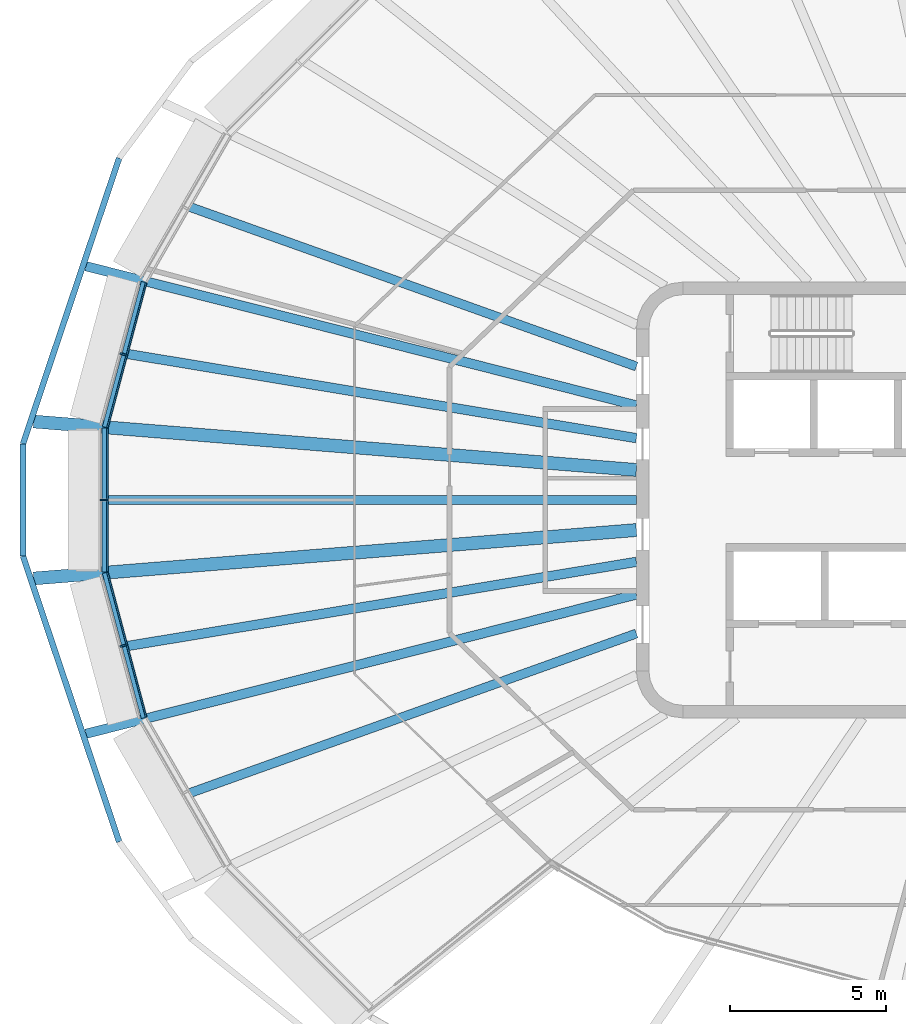
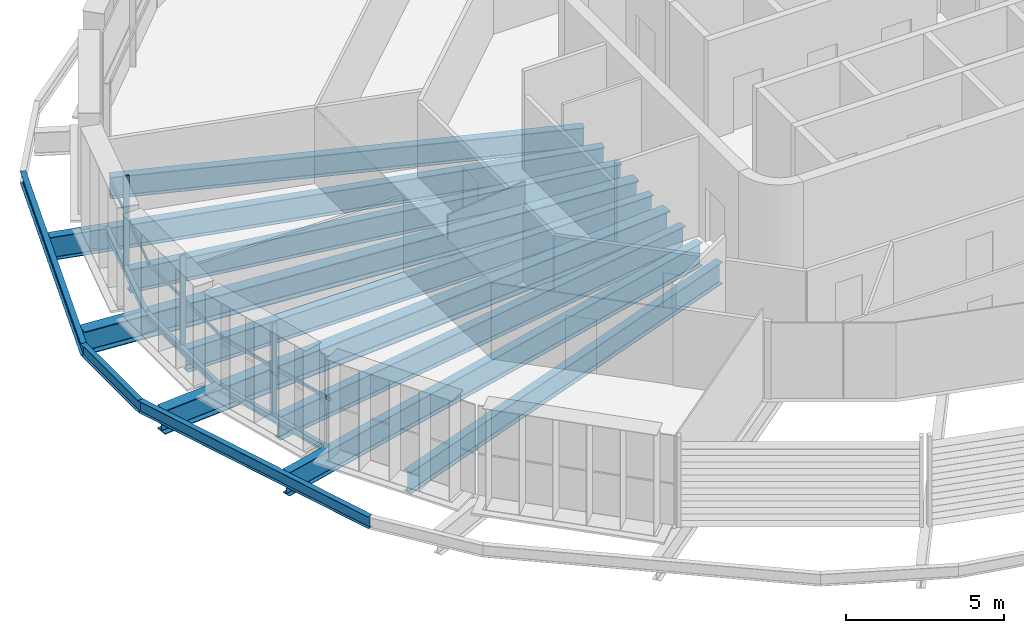
# One storey, part 2 of 19: 15 beams, 6 members, 3 elements without a shape of their own.
"""IFC4 building model written with IfcOpenShell, lengths in metres."""

from ifc_helpers import new_model, si_unit, direction, frame, origin, origin_2d, place, context, subcontext, project, spatial, rectangle, i_section, extrude, material, layer, layer_set, material_profile, profile_set, type_object, element, aggregate, save


model = new_model("IFC4")

# Units and contexts
model_context = context("Model", 3, precision=1e-05, world=origin(), true_north=direction((0.0, 1.0)))
body_context = subcontext(model_context, "Body", "Model", "MODEL_VIEW")
ifc_project = project(units=[si_unit("LENGTHUNIT", "METRE"), si_unit("AREAUNIT", "SQUARE_METRE"), si_unit("VOLUMEUNIT", "CUBIC_METRE"), si_unit("PLANEANGLEUNIT", "RADIAN"), si_unit("MASSUNIT", "GRAM", prefix="KILO")], contexts=[model_context])

# Site, building, storey
site_placement = place(None, origin())
site = spatial("IfcSite", under=ifc_project, at=site_placement, CompositionType="ELEMENT")
building_placement = place(site_placement, origin())
building = spatial("IfcBuilding", under=site, at=building_placement, Name="Sahrelin Media Tower", CompositionType="ELEMENT")
storey_placement = place(building_placement, frame((0.0, 0.0, 279.0)))
storey = spatial("IfcBuildingStorey", under=building, at=storey_placement, Name="L61", CompositionType="ELEMENT", Elevation=279.0)

# Beams
ifc_material_1 = material(Name="Steel S355", Category="steel")
ifc_material_profile_1 = material_profile(ifc_material_1, i_section(OverallWidth=0.14599609375, OverallDepth=0.25146484375, WebThickness=0.006103515625, FlangeThickness=0.008544921875, FilletRadius=0.007568359375, at=origin_2d()), Name="UB 254x146x31")
ifc_profile_set_1 = profile_set([ifc_material_profile_1], Name="Steel S355")
beam_type_1 = type_object("IfcBeamType", Name="Edge beam EB1", PredefinedType="BEAM", material=ifc_profile_set_1)
beam_1_placement = place(storey_placement, frame((-27.83203125, -7.003662109375, -0.275634765625), z_axis=(-0.258815348478, 0.965926816789, 0.0), x_axis=(-0.965926816789, -0.258815348478, 0.0)))
element("IfcBeam", 1, at=beam_1_placement, inside=storey, type_object=beam_type_1, Name="Edge beam L61-08", PredefinedType="BEAM", context=body_context, shape_type="SweptSolid", body=[
    extrude(i_section(OverallWidth=0.14599609375, OverallDepth=0.25146484375, WebThickness=0.006103515625, FlangeThickness=0.008544921875, FilletRadius=0.007568359375, at=origin_2d()), origin(), (0.0, 0.0, 1.0), 4.823974609375),
])
beam_2_placement = place(storey_placement, frame((-29.08447265625, -2.3154296875, -0.275634765625), z_axis=(0.0, 1.0, 0.0), x_axis=(-1.0, 0.0, 0.0)))
element("IfcBeam", 2, at=beam_2_placement, inside=storey, type_object=beam_type_1, Name="Edge beam L61-09", PredefinedType="BEAM", context=body_context, shape_type="SweptSolid", body=[
    extrude(i_section(OverallWidth=0.14599609375, OverallDepth=0.25146484375, WebThickness=0.006103515625, FlangeThickness=0.008544921875, FilletRadius=0.007568359375, at=origin_2d()), origin(), (0.0, 0.0, 1.0), 4.630859375),
])
beam_3_placement = place(storey_placement, frame((-29.08056640625, 2.343994140625, -0.275634765625), z_axis=(0.258815348478, 0.965926816789, 0.0), x_axis=(-0.965926816789, 0.258815348478, 0.0)))
element("IfcBeam", 3, at=beam_3_placement, inside=storey, type_object=beam_type_1, Name="Edge beam L61-10", PredefinedType="BEAM", context=body_context, shape_type="SweptSolid", body=[
    extrude(i_section(OverallWidth=0.14599609375, OverallDepth=0.25146484375, WebThickness=0.006103515625, FlangeThickness=0.008544921875, FilletRadius=0.007568359375, at=origin_2d()), origin(), (0.0, 0.0, 1.0), 4.823974609375),
])

# Curtain wall, member
ifc_material_2 = material(Name="Champagne anodised aluminium 6063-T6", Category="aluminium")
ifc_layer = layer(ifc_material_2, 0.14990234375)
ifc_layer_set = layer_set([ifc_layer], Name="Tower ribbon curtain wall")
curtain_wall_type = type_object("IfcCurtainWallType", Name="Tower ribbon curtain wall", PredefinedType="NOTDEFINED", material=ifc_layer_set)
curtain_wall_1_placement = place(storey_placement, frame((-28.601318359375, 4.712646484375, 0.0), z_axis=(0.0, 0.0, 1.0), x_axis=(1.0, 0.0, 0.0)))
curtain_wall_1 = element("IfcCurtainWall", 4, at=curtain_wall_1_placement, inside=storey, type_object=curtain_wall_type, Name="L61:CW:L61-11", PredefinedType="NOTDEFINED")
ifc_material_profile_2 = material_profile(ifc_material_2, rectangle(XDim=0.06005859375, YDim=0.199951171875, at=origin_2d()), Name="Mullion 60x200")
ifc_profile_set_2 = profile_set([ifc_material_profile_2], Name="Champagne anodised aluminium 6063-T6")
member_type_1 = type_object("IfcMemberType", Name="Mullion 60x200 CW1C", PredefinedType="MULLION", material=ifc_profile_set_2)
member_1_placement = place(storey_placement, frame((-28.4853515625, 4.681640625, 0.0), z_axis=(0.0, 0.0, 1.0), x_axis=(-0.25882916024, -0.965923115889, 0.0)))
member_1 = element("IfcMember", 5, at=member_1_placement, type_object=member_type_1, Name="L61:CWM:L61-11", PredefinedType="MULLION", context=body_context, shape_type="SweptSolid", body=[
    extrude(rectangle(XDim=0.06005859375, YDim=0.199951171875, at=origin_2d()), origin(), (0.0, 0.0, 1.0), 3.448486328125),
])

curtain_wall_2_placement = place(storey_placement, frame((-29.234375, 0.0, 0.0), z_axis=(0.0, 0.0, 1.0), x_axis=(1.0, 0.0, 0.0)))
curtain_wall_2 = element("IfcCurtainWall", 6, at=curtain_wall_2_placement, inside=storey, type_object=curtain_wall_type, Name="L61:CW:L61-12", PredefinedType="NOTDEFINED")
member_2_placement = place(storey_placement, frame((-29.114501953125, 0.0, 0.0), z_axis=(0.0, 0.0, 1.0), x_axis=(0.0, -1.0, 0.0)))
member_2 = element("IfcMember", 7, at=member_2_placement, type_object=member_type_1, Name="L61:CWM:L61-12", PredefinedType="MULLION", context=body_context, shape_type="SweptSolid", body=[
    extrude(rectangle(XDim=0.06005859375, YDim=0.199951171875, at=origin_2d()), origin(), (0.0, 0.0, 1.0), 3.448486328125),
])

curtain_wall_3_placement = place(storey_placement, frame((-28.601318359375, -4.712646484375, 0.0), z_axis=(0.0, 0.0, 1.0), x_axis=(1.0, 0.0, 0.0)))
curtain_wall_3 = element("IfcCurtainWall", 8, at=curtain_wall_3_placement, inside=storey, type_object=curtain_wall_type, Name="L61:CW:L61-13", PredefinedType="NOTDEFINED")
member_3_placement = place(storey_placement, frame((-28.4853515625, -4.681640625, 0.0), z_axis=(0.0, 0.0, 1.0), x_axis=(0.25882916024, -0.965923115889, 0.0)))
member_3 = element("IfcMember", 9, at=member_3_placement, type_object=member_type_1, Name="L61:CWM:L61-13", PredefinedType="MULLION", context=body_context, shape_type="SweptSolid", body=[
    extrude(rectangle(XDim=0.06005859375, YDim=0.199951171875, at=origin_2d()), origin(), (0.0, 0.0, 1.0), 3.448486328125),
])

# Beams
ifc_material_profile_3 = material_profile(ifc_material_1, i_section(OverallWidth=0.30322265625, OverallDepth=0.903076171875, WebThickness=0.01513671875, FlangeThickness=0.020263671875, FilletRadius=0.01904296875, at=origin_2d()), Name="UB 914x305x201")
ifc_profile_set_3 = profile_set([ifc_material_profile_3], Name="Steel S355")
beam_type_2 = type_object("IfcBeamType", Name="Radial primary beam PB11", PredefinedType="BEAM", material=ifc_profile_set_3)
for number, where, z_axis, x_axis, name in (
    (10, (-12.0, 3.035888671875, -0.6015625), (-0.969459095587, 0.245253057033, 0.0), (-0.245253057033, -0.969459095587, 0.0), "Radial beam L61-11"),
    (11, (-12.0, -3.035888671875, -0.6015625), (-0.969459095587, -0.245253057033, 0.0), (0.245253057033, -0.969459095587, 0.0), "Radial beam L61-14"),
):
    element("IfcBeam", number, at=place(storey_placement, frame(where, z_axis=z_axis, x_axis=x_axis)), inside=storey, type_object=beam_type_2, Name=name, PredefinedType="BEAM", context=body_context, shape_type="SweptSolid", body=[
        extrude(i_section(OverallWidth=0.30322265625, OverallDepth=0.903076171875, WebThickness=0.01513671875, FlangeThickness=0.020263671875, FilletRadius=0.01904296875, at=origin_2d()), origin(), (0.0, 0.0, 1.0), 18.23681640625),
    ])
ifc_material_profile_4 = material_profile(ifc_material_1, i_section(OverallWidth=0.41845703125, OverallDepth=0.911865234375, WebThickness=0.019287109375, FlangeThickness=0.031982421875, FilletRadius=0.024169921875, at=origin_2d()), Name="UB 914x419x343")
ifc_profile_set_4 = profile_set([ifc_material_profile_4], Name="Steel S355")
beam_type_3 = type_object("IfcBeamType", Name="Radial primary beam PB12", PredefinedType="BEAM", material=ifc_profile_set_4)
for number, where, z_axis, x_axis, name in (
    (12, (-12.0, 0.964599609375, -0.60595703125), (-0.99678559081, 0.080115453895, 0.0), (-0.080115453895, -0.99678559081, 0.0), "Radial beam L61-12"),
    (13, (-12.0, -0.964599609375, -0.60595703125), (-0.99678559081, -0.080115453895, 0.0), (0.080115453895, -0.99678559081, 0.0), "Radial beam L61-13"),
):
    element("IfcBeam", number, at=place(storey_placement, frame(where, z_axis=z_axis, x_axis=x_axis)), inside=storey, type_object=beam_type_3, Name=name, PredefinedType="BEAM", context=body_context, shape_type="SweptSolid", body=[
        extrude(i_section(OverallWidth=0.41845703125, OverallDepth=0.911865234375, WebThickness=0.019287109375, FlangeThickness=0.031982421875, FilletRadius=0.024169921875, at=origin_2d()), origin(), (0.0, 0.0, 1.0), 19.4208984375),
    ])
ifc_material_profile_5 = material_profile(ifc_material_1, i_section(OverallWidth=0.291748046875, OverallDepth=0.8349609375, WebThickness=0.013916015625, FlangeThickness=0.018798828125, FilletRadius=0.017822265625, at=origin_2d()), Name="UB 838x292x176")
ifc_profile_set_5 = profile_set([ifc_material_profile_5], Name="Steel S355")
beam_type_4 = type_object("IfcBeamType", Name="Radial secondary beam SB10", PredefinedType="BEAM", material=ifc_profile_set_5)
for number, where, z_axis, x_axis, name in (
    (14, (-12.0, 4.28759765625, -0.5673828125), (-0.941694777933, 0.336468342066, 0.0), (-0.336468342066, -0.941694777933, 0.0), "Secondary beam L61-10"),
    (15, (-12.0, -4.28759765625, -0.5673828125), (-0.941694777933, -0.336468342066, 0.0), (0.336468342066, -0.941694777933, 0.0), "Secondary beam L61-14"),
):
    element("IfcBeam", number, at=place(storey_placement, frame(where, z_axis=z_axis, x_axis=x_axis)), inside=storey, type_object=beam_type_4, Name=name, PredefinedType="BEAM", context=body_context, shape_type="SweptSolid", body=[
        extrude(i_section(OverallWidth=0.291748046875, OverallDepth=0.8349609375, WebThickness=0.013916015625, FlangeThickness=0.018798828125, FilletRadius=0.017822265625, at=origin_2d()), origin(), (0.0, 0.0, 1.0), 15.237548828125),
    ])
ifc_material_profile_6 = material_profile(ifc_material_1, i_section(OverallWidth=0.30322265625, OverallDepth=0.903076171875, WebThickness=0.01513671875, FlangeThickness=0.020263671875, FilletRadius=0.01904296875, at=origin_2d()), Name="UB 914x305x201")
ifc_profile_set_6 = profile_set([ifc_material_profile_6], Name="Steel S355")
beam_type_5 = type_object("IfcBeamType", Name="Radial secondary beam SB11", PredefinedType="BEAM", material=ifc_profile_set_6)
beam_4_placement = place(storey_placement, frame((-12.0, 1.98583984375, -0.6015625), z_axis=(-0.986583293342, 0.163258706656, 0.0), x_axis=(-0.163258706656, -0.986583293342, 0.0)))
element("IfcBeam", 16, at=beam_4_placement, inside=storey, type_object=beam_type_5, Name="Secondary beam L61-11", PredefinedType="BEAM", context=body_context, shape_type="SweptSolid", body=[
    extrude(i_section(OverallWidth=0.30322265625, OverallDepth=0.903076171875, WebThickness=0.01513671875, FlangeThickness=0.020263671875, FilletRadius=0.01904296875, at=origin_2d()), origin(), (0.0, 0.0, 1.0), 16.59765625),
])
beam_5_placement = place(storey_placement, frame((-12.0, 0.0, -0.6015625), z_axis=(-1.0, 0.0, 0.0), x_axis=(0.0, -1.0, 0.0)))
element("IfcBeam", 17, at=beam_5_placement, inside=storey, type_object=beam_type_5, Name="Secondary beam L61-12", PredefinedType="BEAM", context=body_context, shape_type="SweptSolid", body=[
    extrude(i_section(OverallWidth=0.30322265625, OverallDepth=0.903076171875, WebThickness=0.01513671875, FlangeThickness=0.020263671875, FilletRadius=0.01904296875, at=origin_2d()), origin(), (0.0, 0.0, 1.0), 17.011474609375),
])
beam_6_placement = place(storey_placement, frame((-12.0, -1.98583984375, -0.6015625), z_axis=(-0.986583293342, -0.163258706656, 0.0), x_axis=(0.163258706656, -0.986583293342, 0.0)))
element("IfcBeam", 18, at=beam_6_placement, inside=storey, type_object=beam_type_5, Name="Secondary beam L61-13", PredefinedType="BEAM", context=body_context, shape_type="SweptSolid", body=[
    extrude(i_section(OverallWidth=0.30322265625, OverallDepth=0.903076171875, WebThickness=0.01513671875, FlangeThickness=0.020263671875, FilletRadius=0.01904296875, at=origin_2d()), origin(), (0.0, 0.0, 1.0), 16.59765625),
])
ifc_material_profile_7 = material_profile(ifc_material_1, i_section(OverallWidth=0.1904296875, OverallDepth=0.45703125, WebThickness=0.009033203125, FlangeThickness=0.014404296875, FilletRadius=0.01025390625, at=origin_2d()), Name="UB 457x191x74")
ifc_profile_set_7 = profile_set([ifc_material_profile_7], Name="Steel S355")
beam_type_6 = type_object("IfcBeamType", Name="Tie chord TC5", PredefinedType="BEAM", material=ifc_profile_set_7)
beam_7_placement = place(storey_placement, frame((-28.61181640625, 10.981689453125, -0.37841796875), z_axis=(-0.318917097398, -0.947782614837, 0.0), x_axis=(0.947782614837, -0.318917097398, 0.0)))
element("IfcBeam", 19, at=beam_7_placement, inside=storey, type_object=beam_type_6, Name="Tie chord L61-11", PredefinedType="BEAM", context=body_context, shape_type="SweptSolid", body=[
    extrude(i_section(OverallWidth=0.1904296875, OverallDepth=0.45703125, WebThickness=0.009033203125, FlangeThickness=0.014404296875, FilletRadius=0.01025390625, at=origin_2d()), origin(), (0.0, 0.0, 1.0), 9.69091796875),
])
beam_8_placement = place(storey_placement, frame((-31.702392578125, 1.796875, -0.37841796875), z_axis=(0.0, -1.0, 0.0), x_axis=(1.0, 0.0, 0.0)))
element("IfcBeam", 20, at=beam_8_placement, inside=storey, type_object=beam_type_6, Name="Tie chord L61-12", PredefinedType="BEAM", context=body_context, shape_type="SweptSolid", body=[
    extrude(i_section(OverallWidth=0.1904296875, OverallDepth=0.45703125, WebThickness=0.009033203125, FlangeThickness=0.014404296875, FilletRadius=0.01025390625, at=origin_2d()), origin(), (0.0, 0.0, 1.0), 3.59375),
])
beam_9_placement = place(storey_placement, frame((-31.702392578125, -1.796875, -0.37841796875), z_axis=(0.318917097398, -0.947782614837, 0.0), x_axis=(0.947782614837, 0.318917097398, 0.0)))
element("IfcBeam", 21, at=beam_9_placement, inside=storey, type_object=beam_type_6, Name="Tie chord L61-13", PredefinedType="BEAM", context=body_context, shape_type="SweptSolid", body=[
    extrude(i_section(OverallWidth=0.1904296875, OverallDepth=0.45703125, WebThickness=0.009033203125, FlangeThickness=0.014404296875, FilletRadius=0.01025390625, at=origin_2d()), origin(), (0.0, 0.0, 1.0), 9.69091796875),
])

# Member
ifc_material_profile_8 = material_profile(ifc_material_2, rectangle(XDim=0.050048828125, YDim=0.1201171875, at=origin_2d()), Name="Transom 50x120")
ifc_profile_set_8 = profile_set([ifc_material_profile_8], Name="Champagne anodised aluminium 6063-T6")
member_type_2 = type_object("IfcMemberType", Name="Transom 50x120 CW1C", PredefinedType="USERDEFINED", material=ifc_profile_set_8)
member_4_placement = place(storey_placement, frame((-27.744384765625, 6.9638671875, 1.60009765625), z_axis=(-0.258838787215, -0.96592053619, 0.0), x_axis=(0.96592053619, -0.258838787215, 0.0)))
member_4 = element("IfcMember", 22, at=member_4_placement, type_object=member_type_2, Name="L61:CWT:L61-11", ObjectType="TRANSOM", PredefinedType="USERDEFINED", context=body_context, shape_type="SweptSolid", body=[
    extrude(rectangle(XDim=0.050048828125, YDim=0.1201171875, at=origin_2d()), origin(), (0.0, 0.0, 1.0), 4.79248046875),
])

aggregate(curtain_wall_1, [member_1, member_4])

member_5_placement = place(storey_placement, frame((-28.989501953125, 2.2998046875, 1.60009765625), z_axis=(0.0, -1.0, 0.0), x_axis=(1.0, 0.0, 0.0)))
member_5 = element("IfcMember", 23, at=member_5_placement, type_object=member_type_2, Name="L61:CWT:L61-12", ObjectType="TRANSOM", PredefinedType="USERDEFINED", context=body_context, shape_type="SweptSolid", body=[
    extrude(rectangle(XDim=0.050048828125, YDim=0.1201171875, at=origin_2d()), origin(), (0.0, 0.0, 1.0), 4.599609375),
])

aggregate(curtain_wall_2, [member_2, member_5])

member_6_placement = place(storey_placement, frame((-28.98486328125, -2.334716796875, 1.60009765625), z_axis=(0.258838787215, -0.96592053619, 0.0), x_axis=(0.96592053619, 0.258838787215, 0.0)))
member_6 = element("IfcMember", 24, at=member_6_placement, type_object=member_type_2, Name="L61:CWT:L61-13", ObjectType="TRANSOM", PredefinedType="USERDEFINED", context=body_context, shape_type="SweptSolid", body=[
    extrude(rectangle(XDim=0.050048828125, YDim=0.1201171875, at=origin_2d()), origin(), (0.0, 0.0, 1.0), 4.79248046875),
])

aggregate(curtain_wall_3, [member_3, member_6])

save(model, "model.ifc")
